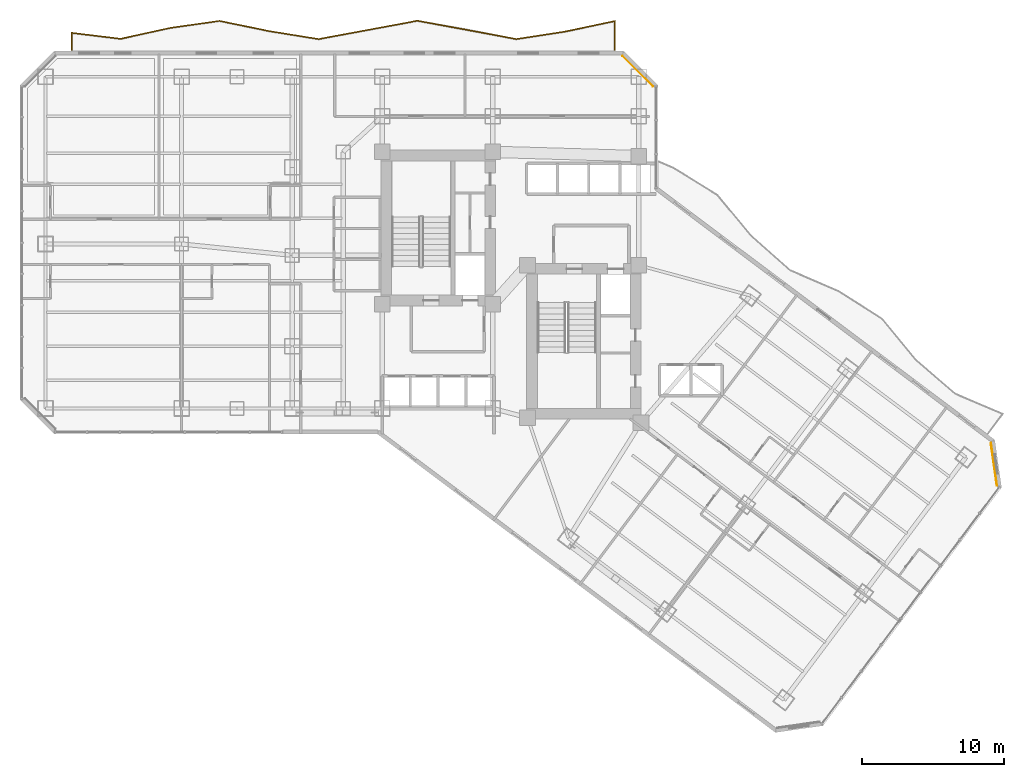
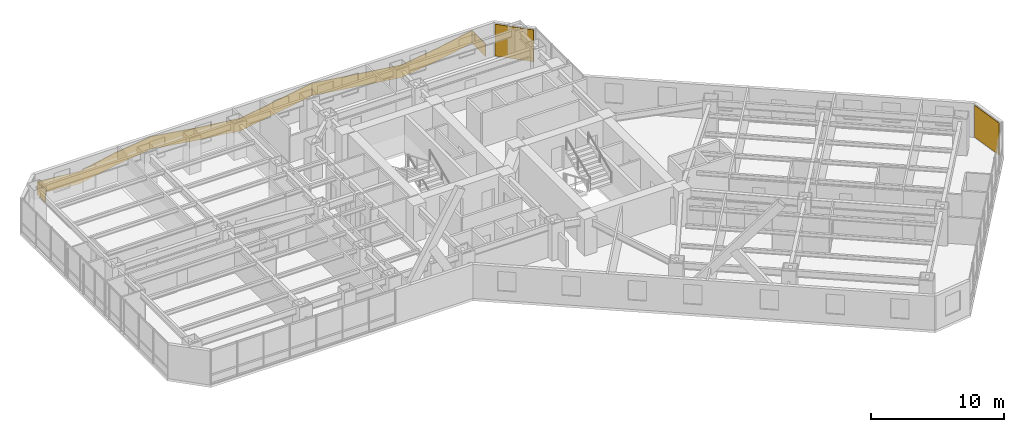
# One storey, part 33 of 33: 2 coverings, 1 railing.
"""IFC4 building model written with IfcOpenShell, lengths in metres."""

from ifc_helpers import new_model, si_unit, direction, frame, origin, origin_2d, place, context, subcontext, project, spatial, polyline, rectangle, outline, extrude, material, layer, layer_set, type_object, element, save


model = new_model("IFC4")

# Units and contexts
model_context = context("Model", 3, precision=1e-05, world=origin(), true_north=direction((0.0, 1.0)))
body_context = subcontext(model_context, "Body", "Model", "MODEL_VIEW")
ifc_project = project(units=[si_unit("LENGTHUNIT", "METRE"), si_unit("AREAUNIT", "SQUARE_METRE"), si_unit("VOLUMEUNIT", "CUBIC_METRE"), si_unit("PLANEANGLEUNIT", "RADIAN"), si_unit("MASSUNIT", "GRAM", prefix="KILO")], contexts=[model_context])

# Site, building, storey
site_placement = place(None, origin())
site = spatial("IfcSite", under=ifc_project, at=site_placement, CompositionType="ELEMENT")
building_placement = place(site_placement, origin())
building = spatial("IfcBuilding", under=site, at=building_placement, Name="Hatsunagi Terrace Concourse", CompositionType="ELEMENT")
storey_placement = place(building_placement, frame((0.0, 0.0, 53.35009765625)))
storey = spatial("IfcBuildingStorey", under=building, at=storey_placement, Name="L13", CompositionType="ELEMENT", Elevation=53.35009765625)

# Railing
ifc_material_1 = material(Name="Laminated Glass and Stainless Steel Guard", Category="steel")
ifc_layer_1 = layer(ifc_material_1, 0.070068359375)
ifc_layer_set_1 = layer_set([ifc_layer_1], Name="BalconyGlassGuardRail_1150")
railing_type = type_object("IfcRailingType", Name="BalconyGlassGuardRail_1150", PredefinedType="BALUSTRADE", material=ifc_layer_set_1)
railing_placement = place(storey_placement, origin())
element("IfcRailing", 1, at=railing_placement, inside=storey, type_object=railing_type, Name="Engawa Balcony Guard GRD-01 L13-BN-1", PredefinedType="BALUSTRADE", context=body_context, shape_type="SweptSolid", body=[
    extrude(outline(polyline([(3.614990234375, 50.449951171875), (3.68505859375, 50.449951171875), (3.68505859375, 51.653564453125), (7.0947265625, 51.236572265625), (10.59716796875, 52.007568359375), (14.06982421875, 52.50341796875), (17.548583984375, 51.78662109375), (21.056396484375, 51.215576171875), (28.035888671875, 52.513427734375), (35.0166015625, 51.217529296875), (38.5244140625, 51.76171875), (41.9150390625, 52.480712890625), (41.9150390625, 50.449951171875), (41.985107421875, 50.449951171875), (41.985107421875, 52.567138671875), (38.51171875, 51.830322265625), (35.017578125, 51.28857421875), (28.035888671875, 52.584716796875), (21.0556640625, 51.28662109375), (17.561279296875, 51.85546875), (14.072021484375, 52.574462890625), (10.584716796875, 52.076416015625), (7.09130859375, 51.3076171875), (3.614990234375, 51.732421875), (3.614990234375, 50.449951171875)])), origin(), (0.0, 0.0, 1.0), 1.14990234375),
])

# Coverings
ifc_material_2 = material(Name="Unglazed Warm Terracotta Rainscreen Tile", Category="masonry")
ifc_layer_2 = layer(ifc_material_2, 0.044921875)
ifc_layer_set_2 = layer_set([ifc_layer_2], Name="TerracottaRainscreenCladding_45")
covering_type = type_object("IfcCoveringType", Name="TerracottaRainscreenCladding_45", PredefinedType="CLADDING", material=ifc_layer_set_2)
for number, where, z_axis, x_axis, name in (
    (2, (68.700927734375, 21.258056640625, 0.10009765625), (0.0, 0.0, 1.0), (0.141250262458, -0.989973920543, 0.0), "Terracotta Rainscreen Cladding L13-02"),
    (3, (43.5859375, 48.986083984375, 0.10009765625), (0.0, 0.0, 1.0), (0.707106781187, -0.707106781187, 0.0), "Terracotta Rainscreen Cladding L13-12"),
):
    element("IfcCovering", number, at=place(storey_placement, frame(where, z_axis=z_axis, x_axis=x_axis)), inside=storey, type_object=covering_type, Name=name, PredefinedType="CLADDING", context=body_context, shape_type="SweptSolid", body=[
        extrude(rectangle(XDim=3.0380859375, YDim=0.044921875, at=origin_2d()), origin(), (0.0, 0.0, 1.0), 2.929931640625),
    ])

save(model, "model.ifc")
